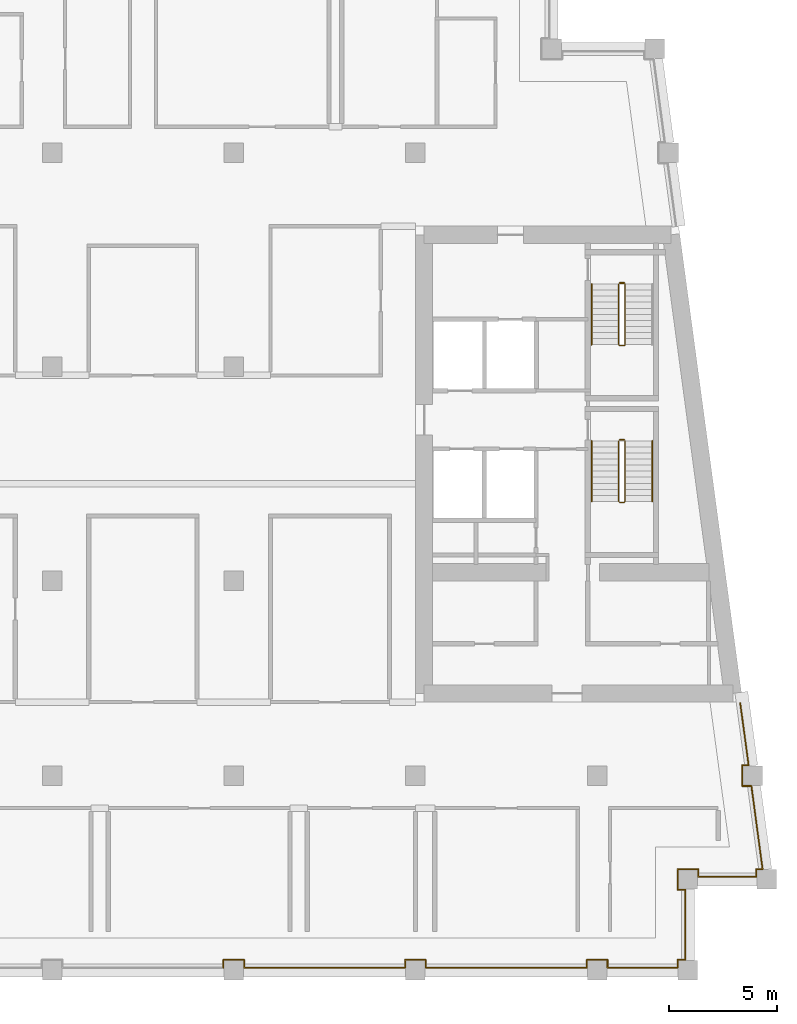
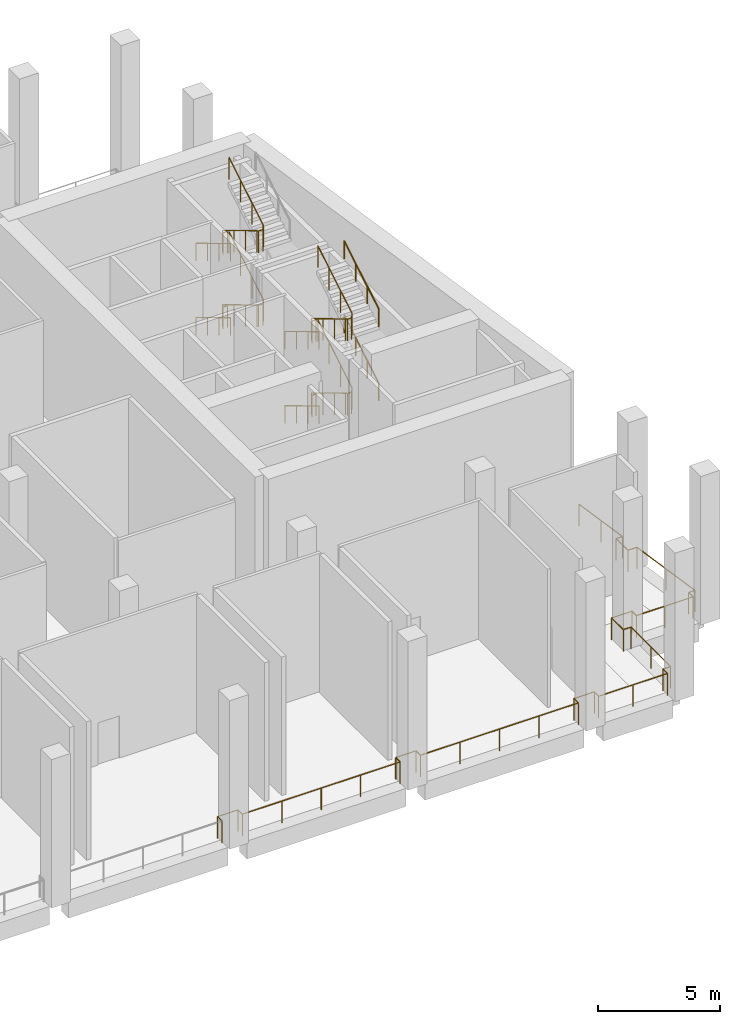
# One storey, part 9 of 10: 22 railings.
"""IFC4 building model written with IfcOpenShell, lengths in metres."""

from ifc_helpers import new_model, si_unit, direction, frame, origin, origin_2d, place, context, subcontext, project, spatial, circle, extrude, material, type_object, element, save


model = new_model("IFC4")

# Units and contexts
model_context = context("Model", 3, precision=1e-05, world=origin(), true_north=direction((0.0, 1.0)))
body_context = subcontext(model_context, "Body", "Model", "MODEL_VIEW")
ifc_project = project(units=[si_unit("LENGTHUNIT", "METRE"), si_unit("AREAUNIT", "SQUARE_METRE"), si_unit("VOLUMEUNIT", "CUBIC_METRE"), si_unit("PLANEANGLEUNIT", "RADIAN"), si_unit("MASSUNIT", "GRAM", prefix="KILO")], contexts=[model_context])

# Site, building, storey
site_placement = place(None, origin())
site = spatial("IfcSite", under=ifc_project, at=site_placement, CompositionType="ELEMENT")
building_placement = place(site_placement, origin())
building = spatial("IfcBuilding", under=site, at=building_placement, Name="Candeia Pilgrim Tower and Theatre", CompositionType="ELEMENT")
storey_placement = place(building_placement, frame((0.0, 0.0, 246.60009765625)))
storey = spatial("IfcBuildingStorey", under=building, at=storey_placement, Name="L60", CompositionType="ELEMENT", Elevation=246.60009765625)

# Railings
ifc_material_1 = material(Name="Stainless steel balustrade", Category="steel")
railing_type_1 = type_object("IfcRailingType", Name="G1 loggia guard 1100", PredefinedType="GUARDRAIL", material=ifc_material_1)
railing_1_placement = place(storey_placement, frame((141.016357421875, 110.35009765625, 0.0)))
element("IfcRailing", 1, at=railing_1_placement, inside=storey, type_object=railing_type_1, Name="Guard L60.19", PredefinedType="GUARDRAIL", context=body_context, shape_type="SweptSolid", body=[
    extrude(circle(Radius=0.02392578125, at=origin_2d()), frame((0.0, 0.0, 1.076171875), z_axis=(0.133450228179, -0.991055516406, 0.0), x_axis=(0.991055516406, 0.133450228179, 0.0)), (0.0, 0.0, 1.0), 2.89599609375),
    extrude(circle(Radius=0.02392578125, at=origin_2d()), frame((0.386474609375, -2.8701171875, 1.076171875), z_axis=(-1.0, 0.0, 0.0), x_axis=(0.0, -1.0, 0.0)), (0.0, 0.0, 1.0), 0.29443359375),
    extrude(circle(Radius=0.02392578125, at=origin_2d()), frame((0.092041015625, -2.8701171875, 1.076171875), z_axis=(0.0, -1.0, 0.0), x_axis=(1.0, 0.0, 0.0)), (0.0, 0.0, 1.0), 0.9599609375),
    extrude(circle(Radius=0.02392578125, at=origin_2d()), frame((0.092041015625, -3.830078125, 1.076171875), z_axis=(1.0, 0.0, 0.0), x_axis=(0.0, 1.0, 0.0)), (0.0, 0.0, 1.0), 0.423583984375),
    extrude(circle(Radius=0.02099609375, at=origin_2d()), origin(), (0.0, 0.0, 1.0), 1.052001953125),
    extrude(circle(Radius=0.02099609375, at=origin_2d()), frame((0.193359375, -1.43505859375, 0.0)), (0.0, 0.0, 1.0), 1.052001953125),
    extrude(circle(Radius=0.02099609375, at=origin_2d()), frame((0.386474609375, -2.8701171875, 0.0)), (0.0, 0.0, 1.0), 1.052001953125),
    extrude(circle(Radius=0.02099609375, at=origin_2d()), frame((0.092041015625, -2.8701171875, 0.0)), (0.0, 0.0, 1.0), 1.052001953125),
    extrude(circle(Radius=0.02099609375, at=origin_2d()), frame((0.092041015625, -3.830078125, 0.0)), (0.0, 0.0, 1.0), 1.052001953125),
    extrude(circle(Radius=0.02099609375, at=origin_2d()), frame((0.515625, -3.830078125, 0.0)), (0.0, 0.0, 1.0), 1.052001953125),
])
railing_2_placement = place(storey_placement, frame((141.531982421875, 106.52001953125, 0.0)))
element("IfcRailing", 2, at=railing_2_placement, inside=storey, type_object=railing_type_1, Name="Guard L60.20", PredefinedType="GUARDRAIL", context=body_context, shape_type="SweptSolid", body=[
    extrude(circle(Radius=0.02392578125, at=origin_2d()), frame((0.0, 0.0, 1.076171875), z_axis=(0.133389399471, -0.991063705374, 0.0), x_axis=(0.991063705374, 0.133389399471, 0.0)), (0.0, 0.0, 1.0), 3.874755859375),
    extrude(circle(Radius=0.02392578125, at=origin_2d()), frame((0.516845703125, -3.840087890625, 1.076171875), z_axis=(-1.0, 0.0, 0.0), x_axis=(0.0, -1.0, 0.0)), (0.0, 0.0, 1.0), 0.294189453125),
    extrude(circle(Radius=0.02392578125, at=origin_2d()), frame((0.22265625, -3.840087890625, 1.076171875), z_axis=(0.0, -1.0, 0.0), x_axis=(1.0, 0.0, 0.0)), (0.0, 0.0, 1.0), 0.35986328125),
    extrude(circle(Radius=0.02392578125, at=origin_2d()), frame((0.22265625, -4.199951171875, 1.076171875), z_axis=(-1.0, 0.0, 0.0), x_axis=(0.0, -1.0, 0.0)), (0.0, 0.0, 1.0), 2.674560546875),
    extrude(circle(Radius=0.02392578125, at=origin_2d()), frame((-2.451904296875, -4.199951171875, 1.076171875), z_axis=(0.0, 1.0, 0.0), x_axis=(-1.0, 0.0, 0.0)), (0.0, 0.0, 1.0), 0.35986328125),
    extrude(circle(Radius=0.02099609375, at=origin_2d()), origin(), (0.0, 0.0, 1.0), 1.052001953125),
    extrude(circle(Radius=0.02099609375, at=origin_2d()), frame((0.25830078125, -1.919921875, 0.0)), (0.0, 0.0, 1.0), 1.052001953125),
    extrude(circle(Radius=0.02099609375, at=origin_2d()), frame((0.516845703125, -3.840087890625, 0.0)), (0.0, 0.0, 1.0), 1.052001953125),
    extrude(circle(Radius=0.02099609375, at=origin_2d()), frame((0.22265625, -3.840087890625, 0.0)), (0.0, 0.0, 1.0), 1.052001953125),
    extrude(circle(Radius=0.02099609375, at=origin_2d()), frame((0.22265625, -4.199951171875, 0.0)), (0.0, 0.0, 1.0), 1.052001953125),
    extrude(circle(Radius=0.02099609375, at=origin_2d()), frame((-1.11474609375, -4.199951171875, 0.0)), (0.0, 0.0, 1.0), 1.052001953125),
    extrude(circle(Radius=0.02099609375, at=origin_2d()), frame((-2.451904296875, -4.199951171875, 0.0)), (0.0, 0.0, 1.0), 1.052001953125),
    extrude(circle(Radius=0.02099609375, at=origin_2d()), frame((-2.451904296875, -3.840087890625, 0.0)), (0.0, 0.0, 1.0), 1.052001953125),
])
railing_3_placement = place(storey_placement, frame((139.080078125, 102.679931640625, 0.0)))
element("IfcRailing", 3, at=railing_3_placement, inside=storey, type_object=railing_type_1, Name="Guard L60.21", PredefinedType="GUARDRAIL", context=body_context, shape_type="SweptSolid", body=[
    extrude(circle(Radius=0.02392578125, at=origin_2d()), frame((0.0, 0.0, 1.076171875), z_axis=(-1.0, 0.0, 0.0), x_axis=(0.0, -1.0, 0.0)), (0.0, 0.0, 1.0), 0.9599609375),
    extrude(circle(Radius=0.02392578125, at=origin_2d()), frame((-0.9599609375, 0.0, 1.076171875), z_axis=(0.0, -1.0, 0.0), x_axis=(1.0, 0.0, 0.0)), (0.0, 0.0, 1.0), 0.9599609375),
    extrude(circle(Radius=0.02392578125, at=origin_2d()), frame((-0.9599609375, -0.9599609375, 1.076171875), z_axis=(1.0, 0.0, 0.0), x_axis=(0.0, 1.0, 0.0)), (0.0, 0.0, 1.0), 0.35986328125),
    extrude(circle(Radius=0.02392578125, at=origin_2d()), frame((-0.60009765625, -0.9599609375, 1.076171875), z_axis=(0.0, -1.0, 0.0), x_axis=(1.0, 0.0, 0.0)), (0.0, 0.0, 1.0), 3.239990234375),
    extrude(circle(Radius=0.02392578125, at=origin_2d()), frame((-0.60009765625, -4.199951171875, 1.076171875), z_axis=(-1.0, 0.0, 0.0), x_axis=(0.0, -1.0, 0.0)), (0.0, 0.0, 1.0), 0.35986328125),
    extrude(circle(Radius=0.02392578125, at=origin_2d()), frame((-0.9599609375, -4.199951171875, 1.076171875), z_axis=(0.0, -1.0, 0.0), x_axis=(1.0, 0.0, 0.0)), (0.0, 0.0, 1.0), 0.35986328125),
    extrude(circle(Radius=0.02099609375, at=origin_2d()), origin(), (0.0, 0.0, 1.0), 1.052001953125),
    extrude(circle(Radius=0.02099609375, at=origin_2d()), frame((-0.9599609375, 0.0, 0.0)), (0.0, 0.0, 1.0), 1.052001953125),
    extrude(circle(Radius=0.02099609375, at=origin_2d()), frame((-0.9599609375, -0.9599609375, 0.0)), (0.0, 0.0, 1.0), 1.052001953125),
    extrude(circle(Radius=0.02099609375, at=origin_2d()), frame((-0.60009765625, -0.9599609375, 0.0)), (0.0, 0.0, 1.0), 1.052001953125),
    extrude(circle(Radius=0.02099609375, at=origin_2d()), frame((-0.60009765625, -2.580078125, 0.0)), (0.0, 0.0, 1.0), 1.052001953125),
    extrude(circle(Radius=0.02099609375, at=origin_2d()), frame((-0.60009765625, -4.199951171875, 0.0)), (0.0, 0.0, 1.0), 1.052001953125),
    extrude(circle(Radius=0.02099609375, at=origin_2d()), frame((-0.9599609375, -4.199951171875, 0.0)), (0.0, 0.0, 1.0), 1.052001953125),
    extrude(circle(Radius=0.02099609375, at=origin_2d()), frame((-0.9599609375, -4.559814453125, 0.0)), (0.0, 0.0, 1.0), 1.052001953125),
])
railing_4_placement = place(storey_placement, frame((138.1201171875, 98.1201171875, 0.0)))
element("IfcRailing", 4, at=railing_4_placement, inside=storey, type_object=railing_type_1, Name="Guard L60.22", PredefinedType="GUARDRAIL", context=body_context, shape_type="SweptSolid", body=[
    extrude(circle(Radius=0.02392578125, at=origin_2d()), frame((0.0, 0.0, 1.076171875), z_axis=(-1.0, 0.0, 0.0), x_axis=(0.0, -1.0, 0.0)), (0.0, 0.0, 1.0), 3.240234375),
    extrude(circle(Radius=0.02392578125, at=origin_2d()), frame((-3.240234375, 0.0, 1.076171875), z_axis=(0.0, 1.0, 0.0), x_axis=(-1.0, 0.0, 0.0)), (0.0, 0.0, 1.0), 0.35986328125),
    extrude(circle(Radius=0.02392578125, at=origin_2d()), frame((-3.240234375, 0.35986328125, 1.076171875), z_axis=(-1.0, 0.0, 0.0), x_axis=(0.0, -1.0, 0.0)), (0.0, 0.0, 1.0), 0.9599609375),
    extrude(circle(Radius=0.02392578125, at=origin_2d()), frame((-4.2001953125, 0.35986328125, 1.076171875), z_axis=(0.0, -1.0, 0.0), x_axis=(1.0, 0.0, 0.0)), (0.0, 0.0, 1.0), 0.35986328125),
    extrude(circle(Radius=0.02099609375, at=origin_2d()), origin(), (0.0, 0.0, 1.0), 1.052001953125),
    extrude(circle(Radius=0.02099609375, at=origin_2d()), frame((-1.6201171875, 0.0, 0.0)), (0.0, 0.0, 1.0), 1.052001953125),
    extrude(circle(Radius=0.02099609375, at=origin_2d()), frame((-3.240234375, 0.0, 0.0)), (0.0, 0.0, 1.0), 1.052001953125),
    extrude(circle(Radius=0.02099609375, at=origin_2d()), frame((-3.240234375, 0.35986328125, 0.0)), (0.0, 0.0, 1.0), 1.052001953125),
    extrude(circle(Radius=0.02099609375, at=origin_2d()), frame((-4.2001953125, 0.35986328125, 0.0)), (0.0, 0.0, 1.0), 1.052001953125),
    extrude(circle(Radius=0.02099609375, at=origin_2d()), frame((-4.2001953125, 0.0, 0.0)), (0.0, 0.0, 1.0), 1.052001953125),
])
railing_5_placement = place(storey_placement, frame((133.919921875, 98.1201171875, 0.0)))
element("IfcRailing", 5, at=railing_5_placement, inside=storey, type_object=railing_type_1, Name="Guard L60.23", PredefinedType="GUARDRAIL", context=body_context, shape_type="SweptSolid", body=[
    extrude(circle(Radius=0.02392578125, at=origin_2d()), frame((0.0, 0.0, 1.076171875), z_axis=(-1.0, 0.0, 0.0), x_axis=(0.0, -1.0, 0.0)), (0.0, 0.0, 1.0), 7.43994140625),
    extrude(circle(Radius=0.02392578125, at=origin_2d()), frame((-7.43994140625, 0.0, 1.076171875), z_axis=(0.0, 1.0, 0.0), x_axis=(-1.0, 0.0, 0.0)), (0.0, 0.0, 1.0), 0.35986328125),
    extrude(circle(Radius=0.02099609375, at=origin_2d()), origin(), (0.0, 0.0, 1.0), 1.052001953125),
    extrude(circle(Radius=0.02099609375, at=origin_2d()), frame((-1.85986328125, 0.0, 0.0)), (0.0, 0.0, 1.0), 1.052001953125),
    extrude(circle(Radius=0.02099609375, at=origin_2d()), frame((-3.719970703125, 0.0, 0.0)), (0.0, 0.0, 1.0), 1.052001953125),
    extrude(circle(Radius=0.02099609375, at=origin_2d()), frame((-5.580078125, 0.0, 0.0)), (0.0, 0.0, 1.0), 1.052001953125),
    extrude(circle(Radius=0.02099609375, at=origin_2d()), frame((-7.43994140625, 0.0, 0.0)), (0.0, 0.0, 1.0), 1.052001953125),
    extrude(circle(Radius=0.02099609375, at=origin_2d()), frame((-7.43994140625, 0.35986328125, 0.0)), (0.0, 0.0, 1.0), 1.052001953125),
])
railing_6_placement = place(storey_placement, frame((126.47998046875, 98.47998046875, 0.0)))
element("IfcRailing", 6, at=railing_6_placement, inside=storey, type_object=railing_type_1, Name="Guard L60.24", PredefinedType="GUARDRAIL", context=body_context, shape_type="SweptSolid", body=[
    extrude(circle(Radius=0.02392578125, at=origin_2d()), frame((0.0, 0.0, 1.076171875), z_axis=(-1.0, 0.0, 0.0), x_axis=(0.0, -1.0, 0.0)), (0.0, 0.0, 1.0), 0.9599609375),
    extrude(circle(Radius=0.02392578125, at=origin_2d()), frame((-0.9599609375, 0.0, 1.076171875), z_axis=(0.0, -1.0, 0.0), x_axis=(1.0, 0.0, 0.0)), (0.0, 0.0, 1.0), 0.35986328125),
    extrude(circle(Radius=0.02099609375, at=origin_2d()), origin(), (0.0, 0.0, 1.0), 1.052001953125),
    extrude(circle(Radius=0.02099609375, at=origin_2d()), frame((-0.9599609375, 0.0, 0.0)), (0.0, 0.0, 1.0), 1.052001953125),
    extrude(circle(Radius=0.02099609375, at=origin_2d()), frame((-0.9599609375, -0.35986328125, 0.0)), (0.0, 0.0, 1.0), 1.052001953125),
])
railing_7_placement = place(storey_placement, frame((125.52001953125, 98.1201171875, 0.0)))
element("IfcRailing", 7, at=railing_7_placement, inside=storey, type_object=railing_type_1, Name="Guard L60.25", PredefinedType="GUARDRAIL", context=body_context, shape_type="SweptSolid", body=[
    extrude(circle(Radius=0.02392578125, at=origin_2d()), frame((0.0, 0.0, 1.076171875), z_axis=(-1.0, 0.0, 0.0), x_axis=(0.0, -1.0, 0.0)), (0.0, 0.0, 1.0), 7.43994140625),
    extrude(circle(Radius=0.02392578125, at=origin_2d()), frame((-7.43994140625, 0.0, 1.076171875), z_axis=(0.0, 1.0, 0.0), x_axis=(-1.0, 0.0, 0.0)), (0.0, 0.0, 1.0), 0.35986328125),
    extrude(circle(Radius=0.02099609375, at=origin_2d()), origin(), (0.0, 0.0, 1.0), 1.052001953125),
    extrude(circle(Radius=0.02099609375, at=origin_2d()), frame((-1.85986328125, 0.0, 0.0)), (0.0, 0.0, 1.0), 1.052001953125),
    extrude(circle(Radius=0.02099609375, at=origin_2d()), frame((-3.719970703125, 0.0, 0.0)), (0.0, 0.0, 1.0), 1.052001953125),
    extrude(circle(Radius=0.02099609375, at=origin_2d()), frame((-5.580078125, 0.0, 0.0)), (0.0, 0.0, 1.0), 1.052001953125),
    extrude(circle(Radius=0.02099609375, at=origin_2d()), frame((-7.43994140625, 0.0, 0.0)), (0.0, 0.0, 1.0), 1.052001953125),
    extrude(circle(Radius=0.02099609375, at=origin_2d()), frame((-7.43994140625, 0.35986328125, 0.0)), (0.0, 0.0, 1.0), 1.052001953125),
])
railing_8_placement = place(storey_placement, frame((118.080078125, 98.47998046875, 0.0)))
element("IfcRailing", 8, at=railing_8_placement, inside=storey, type_object=railing_type_1, Name="Guard L60.26", PredefinedType="GUARDRAIL", context=body_context, shape_type="SweptSolid", body=[
    extrude(circle(Radius=0.02392578125, at=origin_2d()), frame((0.0, 0.0, 1.076171875), z_axis=(-1.0, 0.0, 0.0), x_axis=(0.0, -1.0, 0.0)), (0.0, 0.0, 1.0), 0.9599609375),
    extrude(circle(Radius=0.02392578125, at=origin_2d()), frame((-0.9599609375, 0.0, 1.076171875), z_axis=(0.0, -1.0, 0.0), x_axis=(1.0, 0.0, 0.0)), (0.0, 0.0, 1.0), 0.35986328125),
    extrude(circle(Radius=0.02099609375, at=origin_2d()), origin(), (0.0, 0.0, 1.0), 1.052001953125),
    extrude(circle(Radius=0.02099609375, at=origin_2d()), frame((-0.9599609375, 0.0, 0.0)), (0.0, 0.0, 1.0), 1.052001953125),
    extrude(circle(Radius=0.02099609375, at=origin_2d()), frame((-0.9599609375, -0.35986328125, 0.0)), (0.0, 0.0, 1.0), 1.052001953125),
])
railing_type_2 = type_object("IfcRailingType", Name="RL-GUARD-1100", PredefinedType="GUARDRAIL", material=ifc_material_1)
railing_9_placement = place(storey_placement, frame((135.39794921875, 122.47509765625, 0.16796875)))
element("IfcRailing", 9, at=railing_9_placement, inside=storey, type_object=railing_type_2, Name="L60 ST3 stair guard 1", PredefinedType="GUARDRAIL", context=body_context, shape_type="SweptSolid", body=[
    extrude(circle(Radius=0.02392578125, at=origin_2d()), frame((0.0, 0.0, 1.076171875), z_axis=(0.0, -0.857242210791, 0.514913383045), x_axis=(1.0, 0.0, 0.0)), (0.0, 0.0, 1.0), 3.266357421875),
    extrude(circle(Radius=0.02392578125, at=origin_2d()), frame((0.0, -2.800048828125, 2.7578125), z_axis=(0.707106781187, -0.707106781187, 0.0), x_axis=(0.707106781187, 0.707106781187, 0.0)), (0.0, 0.0, 1.0), 0.07080078125),
    extrude(circle(Radius=0.02392578125, at=origin_2d()), frame((0.050048828125, -2.85009765625, 2.7578125), z_axis=(1.0, 0.0, 0.0), x_axis=(0.0, 1.0, 0.0)), (0.0, 0.0, 1.0), 0.199951171875),
    extrude(circle(Radius=0.02392578125, at=origin_2d()), frame((0.25, -2.85009765625, 2.7578125), z_axis=(0.274243871929, 0.274243871929, 0.92172696468), x_axis=(-0.707106781187, 0.707106781187, 0.0)), (0.0, 0.0, 1.0), 0.1826171875),
    extrude(circle(Radius=0.02392578125, at=origin_2d()), frame((0.300048828125, -2.800048828125, 2.92626953125), z_axis=(0.0, 0.857242210791, 0.514913383045), x_axis=(-1.0, 0.0, 0.0)), (0.0, 0.0, 1.0), 3.266357421875),
    extrude(circle(Radius=0.02099609375, at=origin_2d()), origin(), (0.0, 0.0, 1.0), 1.052001953125),
    extrude(circle(Radius=0.02099609375, at=origin_2d()), frame((0.0, -0.933349609375, 0.560546875)), (0.0, 0.0, 1.0), 1.052001953125),
    extrude(circle(Radius=0.02099609375, at=origin_2d()), frame((0.0, -1.86669921875, 1.121337890625)), (0.0, 0.0, 1.0), 1.052001953125),
    extrude(circle(Radius=0.02099609375, at=origin_2d()), frame((0.0, -2.800048828125, 1.681884765625)), (0.0, 0.0, 1.0), 1.052001953125),
    extrude(circle(Radius=0.02099609375, at=origin_2d()), frame((0.050048828125, -2.85009765625, 1.681884765625)), (0.0, 0.0, 1.0), 1.052001953125),
    extrude(circle(Radius=0.02099609375, at=origin_2d()), frame((0.25, -2.85009765625, 1.681884765625)), (0.0, 0.0, 1.0), 1.052001953125),
    extrude(circle(Radius=0.02099609375, at=origin_2d()), frame((0.300048828125, -2.800048828125, 1.85009765625)), (0.0, 0.0, 1.0), 1.052001953125),
    extrude(circle(Radius=0.02099609375, at=origin_2d()), frame((0.300048828125, -1.86669921875, 2.41064453125)), (0.0, 0.0, 1.0), 1.052001953125),
    extrude(circle(Radius=0.02099609375, at=origin_2d()), frame((0.300048828125, -0.933349609375, 2.971435546875)), (0.0, 0.0, 1.0), 1.052001953125),
    extrude(circle(Radius=0.02099609375, at=origin_2d()), frame((0.300048828125, 0.0, 3.531982421875)), (0.0, 0.0, 1.0), 1.052001953125),
])
railing_10_placement = place(storey_placement, frame((135.447998046875, 122.52490234375, 3.699951171875)))
element("IfcRailing", 10, at=railing_10_placement, inside=storey, type_object=railing_type_2, Name="L60 ST3 stair guard 2", PredefinedType="GUARDRAIL", context=body_context, shape_type="SweptSolid", body=[
    extrude(circle(Radius=0.02392578125, at=origin_2d()), frame((0.0, 0.0, 1.076171875), z_axis=(1.0, 0.0, 0.0), x_axis=(0.0, 1.0, 0.0)), (0.0, 0.0, 1.0), 0.199951171875),
    extrude(circle(Radius=0.02099609375, at=origin_2d()), origin(), (0.0, 0.0, 1.0), 1.052001953125),
    extrude(circle(Radius=0.02099609375, at=origin_2d()), frame((0.199951171875, 0.0, 0.0)), (0.0, 0.0, 1.0), 1.052001953125),
])
railing_11_placement = place(storey_placement, frame((135.39794921875, 122.47509765625, 3.8681640625)))
element("IfcRailing", 11, at=railing_11_placement, inside=storey, type_object=railing_type_2, Name="L60 ST3 stair guard 3", PredefinedType="GUARDRAIL", context=body_context, shape_type="SweptSolid", body=[
    extrude(circle(Radius=0.02392578125, at=origin_2d()), frame((0.0, 0.0, 1.076171875), z_axis=(0.0, -0.857275202839, 0.514858452973), x_axis=(1.0, 0.0, 0.0)), (0.0, 0.0, 1.0), 3.26611328125),
    extrude(circle(Radius=0.02392578125, at=origin_2d()), frame((0.0, -2.800048828125, 2.7578125), z_axis=(0.707106781187, -0.707106781187, 0.0), x_axis=(0.707106781187, 0.707106781187, 0.0)), (0.0, 0.0, 1.0), 0.07080078125),
    extrude(circle(Radius=0.02392578125, at=origin_2d()), frame((0.050048828125, -2.85009765625, 2.7578125), z_axis=(1.0, 0.0, 0.0), x_axis=(0.0, 1.0, 0.0)), (0.0, 0.0, 1.0), 0.199951171875),
    extrude(circle(Radius=0.02392578125, at=origin_2d()), frame((0.25, -2.85009765625, 2.7578125), z_axis=(0.274243871929, 0.274243871929, 0.92172696468), x_axis=(-0.707106781187, 0.707106781187, 0.0)), (0.0, 0.0, 1.0), 0.1826171875),
    extrude(circle(Radius=0.02392578125, at=origin_2d()), frame((0.300048828125, -2.800048828125, 2.92578125), z_axis=(0.0, 0.857242210791, 0.514913383045), x_axis=(-1.0, 0.0, 0.0)), (0.0, 0.0, 1.0), 3.266357421875),
    extrude(circle(Radius=0.02099609375, at=origin_2d()), origin(), (0.0, 0.0, 1.0), 1.052001953125),
    extrude(circle(Radius=0.02099609375, at=origin_2d()), frame((0.0, -0.933349609375, 0.560546875)), (0.0, 0.0, 1.0), 1.052001953125),
    extrude(circle(Radius=0.02099609375, at=origin_2d()), frame((0.0, -1.86669921875, 1.12109375)), (0.0, 0.0, 1.0), 1.052001953125),
    extrude(circle(Radius=0.02099609375, at=origin_2d()), frame((0.0, -2.800048828125, 1.681640625)), (0.0, 0.0, 1.0), 1.052001953125),
    extrude(circle(Radius=0.02099609375, at=origin_2d()), frame((0.050048828125, -2.85009765625, 1.681640625)), (0.0, 0.0, 1.0), 1.052001953125),
    extrude(circle(Radius=0.02099609375, at=origin_2d()), frame((0.25, -2.85009765625, 1.681640625)), (0.0, 0.0, 1.0), 1.052001953125),
    extrude(circle(Radius=0.02099609375, at=origin_2d()), frame((0.300048828125, -2.800048828125, 1.849853515625)), (0.0, 0.0, 1.0), 1.052001953125),
    extrude(circle(Radius=0.02099609375, at=origin_2d()), frame((0.300048828125, -1.86669921875, 2.410400390625)), (0.0, 0.0, 1.0), 1.052001953125),
    extrude(circle(Radius=0.02099609375, at=origin_2d()), frame((0.300048828125, -0.933349609375, 2.97119140625)), (0.0, 0.0, 1.0), 1.052001953125),
    extrude(circle(Radius=0.02099609375, at=origin_2d()), frame((0.300048828125, 0.0, 3.53173828125)), (0.0, 0.0, 1.0), 1.052001953125),
])
railing_12_placement = place(storey_placement, frame((135.447998046875, 122.52490234375, 0.0)))
element("IfcRailing", 12, at=railing_12_placement, inside=storey, type_object=railing_type_2, Name="L60 ST3 stair guard 4", PredefinedType="GUARDRAIL", context=body_context, shape_type="SweptSolid", body=[
    extrude(circle(Radius=0.02392578125, at=origin_2d()), frame((0.0, 0.0, 1.076171875), z_axis=(1.0, 0.0, 0.0), x_axis=(0.0, 1.0, 0.0)), (0.0, 0.0, 1.0), 0.199951171875),
    extrude(circle(Radius=0.02099609375, at=origin_2d()), origin(), (0.0, 0.0, 1.0), 1.052001953125),
    extrude(circle(Radius=0.02099609375, at=origin_2d()), frame((0.199951171875, 0.0, 0.0)), (0.0, 0.0, 1.0), 1.052001953125),
])
railing_13_placement = place(storey_placement, frame((135.39794921875, 129.72509765625, 0.16796875)))
element("IfcRailing", 13, at=railing_13_placement, inside=storey, type_object=railing_type_2, Name="L60 ST4 stair guard 1", PredefinedType="GUARDRAIL", context=body_context, shape_type="SweptSolid", body=[
    extrude(circle(Radius=0.02392578125, at=origin_2d()), frame((0.0, 0.0, 1.076171875), z_axis=(0.0, -0.857242210791, 0.514913383045), x_axis=(1.0, 0.0, 0.0)), (0.0, 0.0, 1.0), 3.266357421875),
    extrude(circle(Radius=0.02392578125, at=origin_2d()), frame((0.0, -2.800048828125, 2.7578125), z_axis=(0.707106781187, -0.707106781187, 0.0), x_axis=(0.707106781187, 0.707106781187, 0.0)), (0.0, 0.0, 1.0), 0.07080078125),
    extrude(circle(Radius=0.02392578125, at=origin_2d()), frame((0.050048828125, -2.85009765625, 2.7578125), z_axis=(1.0, 0.0, 0.0), x_axis=(0.0, 1.0, 0.0)), (0.0, 0.0, 1.0), 0.199951171875),
    extrude(circle(Radius=0.02392578125, at=origin_2d()), frame((0.25, -2.85009765625, 2.7578125), z_axis=(0.274243871929, 0.274243871929, 0.92172696468), x_axis=(-0.707106781187, 0.707106781187, 0.0)), (0.0, 0.0, 1.0), 0.1826171875),
    extrude(circle(Radius=0.02392578125, at=origin_2d()), frame((0.300048828125, -2.800048828125, 2.92626953125), z_axis=(0.0, 0.857242210791, 0.514913383045), x_axis=(-1.0, 0.0, 0.0)), (0.0, 0.0, 1.0), 3.266357421875),
    extrude(circle(Radius=0.02099609375, at=origin_2d()), origin(), (0.0, 0.0, 1.0), 1.052001953125),
    extrude(circle(Radius=0.02099609375, at=origin_2d()), frame((0.0, -0.933349609375, 0.560546875)), (0.0, 0.0, 1.0), 1.052001953125),
    extrude(circle(Radius=0.02099609375, at=origin_2d()), frame((0.0, -1.86669921875, 1.121337890625)), (0.0, 0.0, 1.0), 1.052001953125),
    extrude(circle(Radius=0.02099609375, at=origin_2d()), frame((0.0, -2.800048828125, 1.681884765625)), (0.0, 0.0, 1.0), 1.052001953125),
    extrude(circle(Radius=0.02099609375, at=origin_2d()), frame((0.050048828125, -2.85009765625, 1.681884765625)), (0.0, 0.0, 1.0), 1.052001953125),
    extrude(circle(Radius=0.02099609375, at=origin_2d()), frame((0.25, -2.85009765625, 1.681884765625)), (0.0, 0.0, 1.0), 1.052001953125),
    extrude(circle(Radius=0.02099609375, at=origin_2d()), frame((0.300048828125, -2.800048828125, 1.85009765625)), (0.0, 0.0, 1.0), 1.052001953125),
    extrude(circle(Radius=0.02099609375, at=origin_2d()), frame((0.300048828125, -1.86669921875, 2.41064453125)), (0.0, 0.0, 1.0), 1.052001953125),
    extrude(circle(Radius=0.02099609375, at=origin_2d()), frame((0.300048828125, -0.933349609375, 2.971435546875)), (0.0, 0.0, 1.0), 1.052001953125),
    extrude(circle(Radius=0.02099609375, at=origin_2d()), frame((0.300048828125, 0.0, 3.531982421875)), (0.0, 0.0, 1.0), 1.052001953125),
])
railing_14_placement = place(storey_placement, frame((135.447998046875, 129.77490234375, 3.699951171875)))
element("IfcRailing", 14, at=railing_14_placement, inside=storey, type_object=railing_type_2, Name="L60 ST4 stair guard 2", PredefinedType="GUARDRAIL", context=body_context, shape_type="SweptSolid", body=[
    extrude(circle(Radius=0.02392578125, at=origin_2d()), frame((0.0, 0.0, 1.076171875), z_axis=(1.0, 0.0, 0.0), x_axis=(0.0, 1.0, 0.0)), (0.0, 0.0, 1.0), 0.199951171875),
    extrude(circle(Radius=0.02099609375, at=origin_2d()), origin(), (0.0, 0.0, 1.0), 1.052001953125),
    extrude(circle(Radius=0.02099609375, at=origin_2d()), frame((0.199951171875, 0.0, 0.0)), (0.0, 0.0, 1.0), 1.052001953125),
])
railing_15_placement = place(storey_placement, frame((135.39794921875, 129.72509765625, 3.8681640625)))
element("IfcRailing", 15, at=railing_15_placement, inside=storey, type_object=railing_type_2, Name="L60 ST4 stair guard 3", PredefinedType="GUARDRAIL", context=body_context, shape_type="SweptSolid", body=[
    extrude(circle(Radius=0.02392578125, at=origin_2d()), frame((0.0, 0.0, 1.076171875), z_axis=(0.0, -0.857275202839, 0.514858452973), x_axis=(1.0, 0.0, 0.0)), (0.0, 0.0, 1.0), 3.26611328125),
    extrude(circle(Radius=0.02392578125, at=origin_2d()), frame((0.0, -2.800048828125, 2.7578125), z_axis=(0.707106781187, -0.707106781187, 0.0), x_axis=(0.707106781187, 0.707106781187, 0.0)), (0.0, 0.0, 1.0), 0.07080078125),
    extrude(circle(Radius=0.02392578125, at=origin_2d()), frame((0.050048828125, -2.85009765625, 2.7578125), z_axis=(1.0, 0.0, 0.0), x_axis=(0.0, 1.0, 0.0)), (0.0, 0.0, 1.0), 0.199951171875),
    extrude(circle(Radius=0.02392578125, at=origin_2d()), frame((0.25, -2.85009765625, 2.7578125), z_axis=(0.274243871929, 0.274243871929, 0.92172696468), x_axis=(-0.707106781187, 0.707106781187, 0.0)), (0.0, 0.0, 1.0), 0.1826171875),
    extrude(circle(Radius=0.02392578125, at=origin_2d()), frame((0.300048828125, -2.800048828125, 2.92578125), z_axis=(0.0, 0.857242210791, 0.514913383045), x_axis=(-1.0, 0.0, 0.0)), (0.0, 0.0, 1.0), 3.266357421875),
    extrude(circle(Radius=0.02099609375, at=origin_2d()), origin(), (0.0, 0.0, 1.0), 1.052001953125),
    extrude(circle(Radius=0.02099609375, at=origin_2d()), frame((0.0, -0.933349609375, 0.560546875)), (0.0, 0.0, 1.0), 1.052001953125),
    extrude(circle(Radius=0.02099609375, at=origin_2d()), frame((0.0, -1.86669921875, 1.12109375)), (0.0, 0.0, 1.0), 1.052001953125),
    extrude(circle(Radius=0.02099609375, at=origin_2d()), frame((0.0, -2.800048828125, 1.681640625)), (0.0, 0.0, 1.0), 1.052001953125),
    extrude(circle(Radius=0.02099609375, at=origin_2d()), frame((0.050048828125, -2.85009765625, 1.681640625)), (0.0, 0.0, 1.0), 1.052001953125),
    extrude(circle(Radius=0.02099609375, at=origin_2d()), frame((0.25, -2.85009765625, 1.681640625)), (0.0, 0.0, 1.0), 1.052001953125),
    extrude(circle(Radius=0.02099609375, at=origin_2d()), frame((0.300048828125, -2.800048828125, 1.849853515625)), (0.0, 0.0, 1.0), 1.052001953125),
    extrude(circle(Radius=0.02099609375, at=origin_2d()), frame((0.300048828125, -1.86669921875, 2.410400390625)), (0.0, 0.0, 1.0), 1.052001953125),
    extrude(circle(Radius=0.02099609375, at=origin_2d()), frame((0.300048828125, -0.933349609375, 2.97119140625)), (0.0, 0.0, 1.0), 1.052001953125),
    extrude(circle(Radius=0.02099609375, at=origin_2d()), frame((0.300048828125, 0.0, 3.53173828125)), (0.0, 0.0, 1.0), 1.052001953125),
])
railing_16_placement = place(storey_placement, frame((135.447998046875, 129.77490234375, 0.0)))
element("IfcRailing", 16, at=railing_16_placement, inside=storey, type_object=railing_type_2, Name="L60 ST4 stair guard 4", PredefinedType="GUARDRAIL", context=body_context, shape_type="SweptSolid", body=[
    extrude(circle(Radius=0.02392578125, at=origin_2d()), frame((0.0, 0.0, 1.076171875), z_axis=(1.0, 0.0, 0.0), x_axis=(0.0, 1.0, 0.0)), (0.0, 0.0, 1.0), 0.199951171875),
    extrude(circle(Radius=0.02099609375, at=origin_2d()), origin(), (0.0, 0.0, 1.0), 1.052001953125),
    extrude(circle(Radius=0.02099609375, at=origin_2d()), frame((0.199951171875, 0.0, 0.0)), (0.0, 0.0, 1.0), 1.052001953125),
])
ifc_material_2 = material(Name="Stainless steel handrail", Category="steel")
railing_type_3 = type_object("IfcRailingType", Name="RL-HANDRAIL-900", PredefinedType="HANDRAIL", material=ifc_material_2)
railing_17_placement = place(storey_placement, frame((134.14794921875, 122.47509765625, 0.16796875)))
element("IfcRailing", 17, at=railing_17_placement, inside=storey, type_object=railing_type_3, Name="L60 ST3 stair handrail 1", PredefinedType="HANDRAIL", context=body_context, shape_type="SweptSolid", body=[
    extrude(circle(Radius=0.02392578125, at=origin_2d()), frame((0.0, 0.0, 0.8759765625), z_axis=(0.0, -0.857242210791, 0.514913383045), x_axis=(1.0, 0.0, 0.0)), (0.0, 0.0, 1.0), 3.266357421875),
    extrude(circle(Radius=0.02099609375, at=origin_2d()), origin(), (0.0, 0.0, 1.0), 0.851806640625),
    extrude(circle(Radius=0.02099609375, at=origin_2d()), frame((0.0, -0.933349609375, 0.560546875)), (0.0, 0.0, 1.0), 0.851806640625),
    extrude(circle(Radius=0.02099609375, at=origin_2d()), frame((0.0, -1.86669921875, 1.121337890625)), (0.0, 0.0, 1.0), 0.851806640625),
    extrude(circle(Radius=0.02099609375, at=origin_2d()), frame((0.0, -2.800048828125, 1.681884765625)), (0.0, 0.0, 1.0), 0.851806640625),
])
railing_18_placement = place(storey_placement, frame((136.947998046875, 119.675048828125, 2.01806640625)))
element("IfcRailing", 18, at=railing_18_placement, inside=storey, type_object=railing_type_3, Name="L60 ST3 stair handrail 2", PredefinedType="HANDRAIL", context=body_context, shape_type="SweptSolid", body=[
    extrude(circle(Radius=0.02392578125, at=origin_2d()), frame((0.0, 0.0, 0.8759765625), z_axis=(0.0, 0.857242210791, 0.514913383045), x_axis=(-1.0, 0.0, 0.0)), (0.0, 0.0, 1.0), 3.266357421875),
    extrude(circle(Radius=0.02099609375, at=origin_2d()), origin(), (0.0, 0.0, 1.0), 0.851806640625),
    extrude(circle(Radius=0.02099609375, at=origin_2d()), frame((0.0, 0.933349609375, 0.560546875)), (0.0, 0.0, 1.0), 0.851806640625),
    extrude(circle(Radius=0.02099609375, at=origin_2d()), frame((0.0, 1.86669921875, 1.121337890625)), (0.0, 0.0, 1.0), 0.851806640625),
    extrude(circle(Radius=0.02099609375, at=origin_2d()), frame((0.0, 2.800048828125, 1.681884765625)), (0.0, 0.0, 1.0), 0.851806640625),
])
railing_19_placement = place(storey_placement, frame((134.14794921875, 122.47509765625, 3.8681640625)))
element("IfcRailing", 19, at=railing_19_placement, inside=storey, type_object=railing_type_3, Name="L60 ST3 stair handrail 3", PredefinedType="HANDRAIL", context=body_context, shape_type="SweptSolid", body=[
    extrude(circle(Radius=0.02392578125, at=origin_2d()), frame((0.0, 0.0, 0.8759765625), z_axis=(0.0, -0.857275202839, 0.514858452973), x_axis=(1.0, 0.0, 0.0)), (0.0, 0.0, 1.0), 3.26611328125),
    extrude(circle(Radius=0.02099609375, at=origin_2d()), origin(), (0.0, 0.0, 1.0), 0.851806640625),
    extrude(circle(Radius=0.02099609375, at=origin_2d()), frame((0.0, -0.933349609375, 0.560546875)), (0.0, 0.0, 1.0), 0.851806640625),
    extrude(circle(Radius=0.02099609375, at=origin_2d()), frame((0.0, -1.86669921875, 1.12109375)), (0.0, 0.0, 1.0), 0.851806640625),
    extrude(circle(Radius=0.02099609375, at=origin_2d()), frame((0.0, -2.800048828125, 1.681640625)), (0.0, 0.0, 1.0), 0.851806640625),
])
railing_20_placement = place(storey_placement, frame((136.947998046875, 119.675048828125, 5.718017578125)))
element("IfcRailing", 20, at=railing_20_placement, inside=storey, type_object=railing_type_3, Name="L60 ST3 stair handrail 4", PredefinedType="HANDRAIL", context=body_context, shape_type="SweptSolid", body=[
    extrude(circle(Radius=0.02392578125, at=origin_2d()), frame((0.0, 0.0, 0.8759765625), z_axis=(0.0, 0.857242210791, 0.514913383045), x_axis=(-1.0, 0.0, 0.0)), (0.0, 0.0, 1.0), 3.266357421875),
    extrude(circle(Radius=0.02099609375, at=origin_2d()), origin(), (0.0, 0.0, 1.0), 0.851806640625),
    extrude(circle(Radius=0.02099609375, at=origin_2d()), frame((0.0, 0.933349609375, 0.560546875)), (0.0, 0.0, 1.0), 0.851806640625),
    extrude(circle(Radius=0.02099609375, at=origin_2d()), frame((0.0, 1.86669921875, 1.121337890625)), (0.0, 0.0, 1.0), 0.851806640625),
    extrude(circle(Radius=0.02099609375, at=origin_2d()), frame((0.0, 2.800048828125, 1.681884765625)), (0.0, 0.0, 1.0), 0.851806640625),
])
railing_21_placement = place(storey_placement, frame((134.14794921875, 129.72509765625, 0.16796875)))
element("IfcRailing", 21, at=railing_21_placement, inside=storey, type_object=railing_type_3, Name="L60 ST4 stair handrail 1", PredefinedType="HANDRAIL", context=body_context, shape_type="SweptSolid", body=[
    extrude(circle(Radius=0.02392578125, at=origin_2d()), frame((0.0, 0.0, 0.8759765625), z_axis=(0.0, -0.857242210791, 0.514913383045), x_axis=(1.0, 0.0, 0.0)), (0.0, 0.0, 1.0), 3.266357421875),
    extrude(circle(Radius=0.02099609375, at=origin_2d()), origin(), (0.0, 0.0, 1.0), 0.851806640625),
    extrude(circle(Radius=0.02099609375, at=origin_2d()), frame((0.0, -0.933349609375, 0.560546875)), (0.0, 0.0, 1.0), 0.851806640625),
    extrude(circle(Radius=0.02099609375, at=origin_2d()), frame((0.0, -1.86669921875, 1.121337890625)), (0.0, 0.0, 1.0), 0.851806640625),
    extrude(circle(Radius=0.02099609375, at=origin_2d()), frame((0.0, -2.800048828125, 1.681884765625)), (0.0, 0.0, 1.0), 0.851806640625),
])
railing_22_placement = place(storey_placement, frame((134.14794921875, 129.72509765625, 3.8681640625)))
element("IfcRailing", 22, at=railing_22_placement, inside=storey, type_object=railing_type_3, Name="L60 ST4 stair handrail 3", PredefinedType="HANDRAIL", context=body_context, shape_type="SweptSolid", body=[
    extrude(circle(Radius=0.02392578125, at=origin_2d()), frame((0.0, 0.0, 0.8759765625), z_axis=(0.0, -0.857275202839, 0.514858452973), x_axis=(1.0, 0.0, 0.0)), (0.0, 0.0, 1.0), 3.26611328125),
    extrude(circle(Radius=0.02099609375, at=origin_2d()), origin(), (0.0, 0.0, 1.0), 0.851806640625),
    extrude(circle(Radius=0.02099609375, at=origin_2d()), frame((0.0, -0.933349609375, 0.560546875)), (0.0, 0.0, 1.0), 0.851806640625),
    extrude(circle(Radius=0.02099609375, at=origin_2d()), frame((0.0, -1.86669921875, 1.12109375)), (0.0, 0.0, 1.0), 0.851806640625),
    extrude(circle(Radius=0.02099609375, at=origin_2d()), frame((0.0, -2.800048828125, 1.681640625)), (0.0, 0.0, 1.0), 0.851806640625),
])

save(model, "model.ifc")
